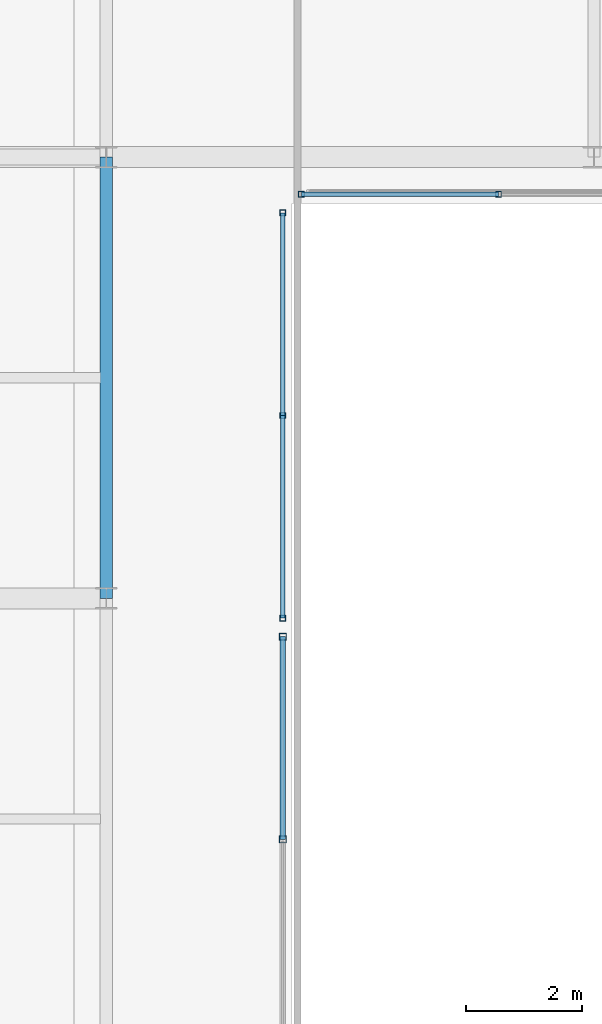
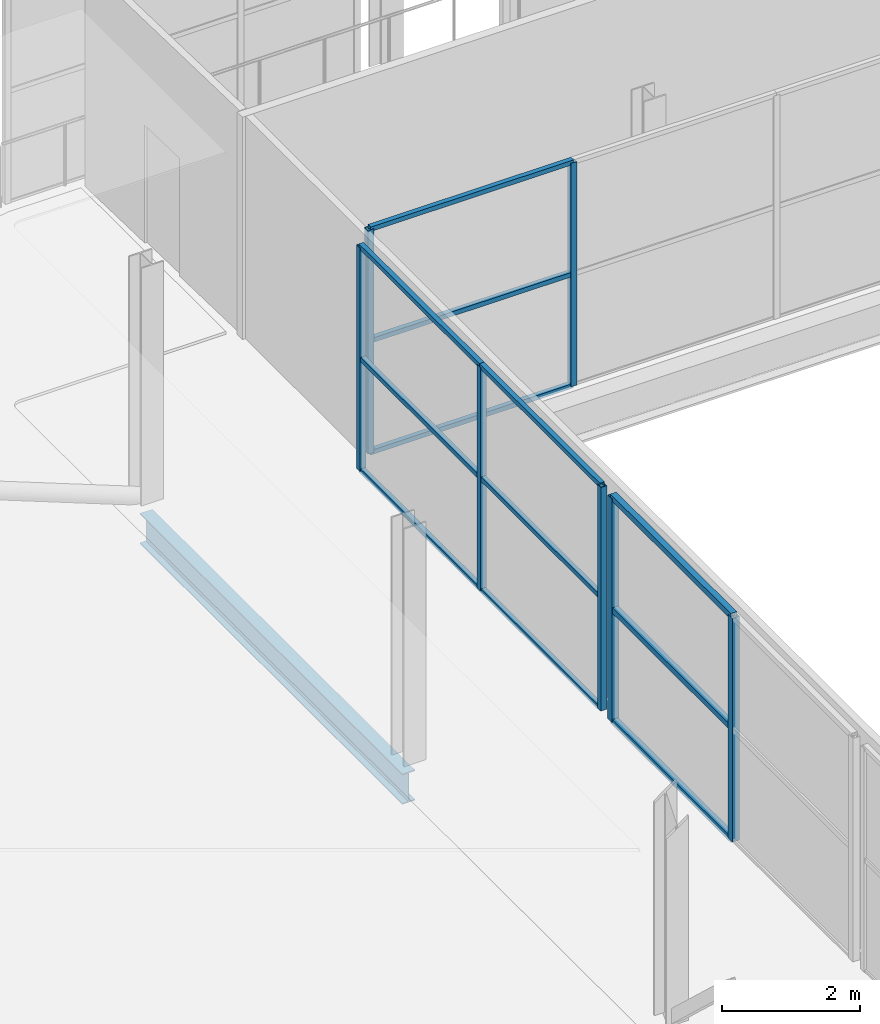
# One storey, part 53 of 217: 19 members, 1 beam, 3 elements without a shape of their own.
"""IFC4 building model written with IfcOpenShell, lengths in metres."""

from ifc_helpers import new_model, si_unit, direction, frame, origin, origin_2d, place, context, subcontext, project, spatial, hollow_rectangle, i_section, extrude, material, material_profile, profile_set, type_object, element, aggregate, save


model = new_model("IFC4")

# Units and contexts
model_context = context("Model", 3, precision=1e-05, world=origin(), true_north=direction((0.0, 1.0)))
body_context = subcontext(model_context, "Body", "Model", "MODEL_VIEW")
ifc_project = project(units=[si_unit("LENGTHUNIT", "METRE"), si_unit("AREAUNIT", "SQUARE_METRE"), si_unit("VOLUMEUNIT", "CUBIC_METRE"), si_unit("PLANEANGLEUNIT", "RADIAN"), si_unit("MASSUNIT", "GRAM", prefix="KILO")], contexts=[model_context])

# Site, building, storey
site_placement = place(None, origin())
site = spatial("IfcSite", under=ifc_project, at=site_placement, CompositionType="ELEMENT")
building_placement = place(site_placement, origin())
building = spatial("IfcBuilding", under=site, at=building_placement, Name="Zuvorla Pavilion Media Centre", CompositionType="ELEMENT")
storey_placement = place(building_placement, frame((0.0, 0.0, 9.60009765625)))
storey = spatial("IfcBuildingStorey", under=building, at=storey_placement, Name="L02", CompositionType="ELEMENT", Elevation=9.60009765625)

# Beam
ifc_material_1 = material(Name="Steel S355", Category="steel")
ifc_material_profile_1 = material_profile(ifc_material_1, i_section(OverallWidth=0.2099609375, OverallDepth=0.53662109375, WebThickness=0.0107421875, FlangeThickness=0.017333984375, FilletRadius=0.0126953125, at=origin_2d()), Name="UB 533x210x101")
ifc_profile_set_1 = profile_set([ifc_material_profile_1], Name="Steel S355")
beam_type = type_object("IfcBeamType", Name="BM-UB533", PredefinedType="BEAM", material=ifc_profile_set_1)
beam_placement = place(storey_placement, frame((24.800048828125, 74.39990234375, -0.536376953125), z_axis=(0.0, 1.0, 0.0), x_axis=(-1.0, 0.0, 0.0)))
element("IfcBeam", 1, at=beam_placement, inside=storey, type_object=beam_type, Name="L02 beam B08 899", PredefinedType="BEAM", context=body_context, shape_type="SweptSolid", body=[
    extrude(i_section(OverallWidth=0.2099609375, OverallDepth=0.53662109375, WebThickness=0.0107421875, FlangeThickness=0.017333984375, FilletRadius=0.0126953125, at=origin_2d()), origin(), (0.0, 0.0, 1.0), 7.60009765625),
])

# Curtain wall, members
ifc_material_2 = material(Name="Unitised anodised aluminium and solar glass curtain wall", Category="aluminium")
curtain_wall_type_1 = type_object("IfcCurtainWallType", Name="CW-SYS-30", PredefinedType="USERDEFINED", material=ifc_material_2)
curtain_wall_1_placement = place(storey_placement, origin())
curtain_wall_1 = element("IfcCurtainWall", 2, at=curtain_wall_1_placement, inside=storey, type_object=curtain_wall_type_1, Name="L02 curtain wall CW30 51", ObjectType="CURTAIN WALL", PredefinedType="USERDEFINED")
ifc_material_3 = material(Name="Anodised aluminium 6063-T6", Category="aluminium")
ifc_material_profile_2 = material_profile(ifc_material_3, hollow_rectangle(XDim=0.10009765625, YDim=0.10009765625, WallThickness=0.00439453125, at=origin_2d()), Name="ALU MULL 100x100")
ifc_profile_set_2 = profile_set([ifc_material_profile_2], Name="Anodised aluminium 6063-T6")
member_type_1 = type_object("IfcMemberType", Name="CW-MULL-100", PredefinedType="MULLION", material=ifc_profile_set_2)
member_1_placement = place(storey_placement, frame((31.55322265625, 81.360107421875, 0.0), z_axis=(0.0, 0.0, 1.0), x_axis=(1.0, 0.0, 0.0)))
member_1 = element("IfcMember", 3, at=member_1_placement, type_object=member_type_1, Name="CW30 mullion 3", PredefinedType="MULLION", context=body_context, shape_type="SweptSolid", body=[
    extrude(hollow_rectangle(XDim=0.10009765625, YDim=0.10009765625, WallThickness=0.00439453125, at=origin_2d()), origin(), (0.0, 0.0, 1.0), 3.949951171875),
])
member_2_placement = place(storey_placement, frame((28.159912109375, 81.360107421875, 0.0), z_axis=(0.0, 0.0, 1.0), x_axis=(1.0, 0.0, 0.0)))
member_2 = element("IfcMember", 4, at=member_2_placement, type_object=member_type_1, Name="CW30 mullion 4", PredefinedType="MULLION", context=body_context, shape_type="SweptSolid", body=[
    extrude(hollow_rectangle(XDim=0.10009765625, YDim=0.10009765625, WallThickness=0.00439453125, at=origin_2d()), origin(), (0.0, 0.0, 1.0), 3.949951171875),
])

curtain_wall_type_2 = type_object("IfcCurtainWallType", Name="CW-SYS-57", PredefinedType="USERDEFINED", material=ifc_material_2)
curtain_wall_2_placement = place(storey_placement, origin())
curtain_wall_2 = element("IfcCurtainWall", 5, at=curtain_wall_2_placement, inside=storey, type_object=curtain_wall_type_2, Name="L02 curtain wall CW57 93", ObjectType="CURTAIN WALL", PredefinedType="USERDEFINED")
member_3_placement = place(storey_placement, frame((27.840087890625, 81.0400390625, 0.0), z_axis=(0.0, 0.0, 1.0), x_axis=(1.0, 0.0, 0.0)))
member_3 = element("IfcMember", 6, at=member_3_placement, type_object=member_type_1, Name="CW57 mullion 1", PredefinedType="MULLION", context=body_context, shape_type="SweptSolid", body=[
    extrude(hollow_rectangle(XDim=0.10009765625, YDim=0.10009765625, WallThickness=0.00439453125, at=origin_2d()), origin(), (0.0, 0.0, 1.0), 3.949951171875),
])
member_4_placement = place(storey_placement, frame((27.840087890625, 77.550048828125, 0.0), z_axis=(0.0, 0.0, 1.0), x_axis=(1.0, 0.0, 0.0)))
member_4 = element("IfcMember", 7, at=member_4_placement, type_object=member_type_1, Name="CW57 mullion 2", PredefinedType="MULLION", context=body_context, shape_type="SweptSolid", body=[
    extrude(hollow_rectangle(XDim=0.10009765625, YDim=0.10009765625, WallThickness=0.00439453125, at=origin_2d()), origin(), (0.0, 0.0, 1.0), 3.949951171875),
])
member_5_placement = place(storey_placement, frame((27.840087890625, 74.06005859375, 0.0), z_axis=(0.0, 0.0, 1.0), x_axis=(1.0, 0.0, 0.0)))
member_5 = element("IfcMember", 8, at=member_5_placement, type_object=member_type_1, Name="CW57 mullion 3", PredefinedType="MULLION", context=body_context, shape_type="SweptSolid", body=[
    extrude(hollow_rectangle(XDim=0.10009765625, YDim=0.10009765625, WallThickness=0.00439453125, at=origin_2d()), origin(), (0.0, 0.0, 1.0), 3.949951171875),
])

curtain_wall_type_3 = type_object("IfcCurtainWallType", Name="CW-SYS-58", PredefinedType="USERDEFINED", material=ifc_material_2)
curtain_wall_3_placement = place(storey_placement, origin())
curtain_wall_3 = element("IfcCurtainWall", 9, at=curtain_wall_3_placement, inside=storey, type_object=curtain_wall_type_3, Name="L02 curtain wall CW58 91", ObjectType="CURTAIN WALL", PredefinedType="USERDEFINED")
ifc_material_profile_3 = material_profile(ifc_material_3, hollow_rectangle(XDim=0.1201171875, YDim=0.1201171875, WallThickness=0.0048828125, at=origin_2d()), Name="ALU MULL 120x120")
ifc_profile_set_3 = profile_set([ifc_material_profile_3], Name="Anodised aluminium 6063-T6")
member_type_2 = type_object("IfcMemberType", Name="CW-MULL-120", PredefinedType="MULLION", material=ifc_profile_set_3)
member_6_placement = place(storey_placement, frame((27.840087890625, 73.739990234375, 0.0), z_axis=(0.0, 0.0, 1.0), x_axis=(1.0, 0.0, 0.0)))
member_6 = element("IfcMember", 10, at=member_6_placement, type_object=member_type_2, Name="CW58 mullion 1", PredefinedType="MULLION", context=body_context, shape_type="SweptSolid", body=[
    extrude(hollow_rectangle(XDim=0.1201171875, YDim=0.1201171875, WallThickness=0.0048828125, at=origin_2d()), origin(), (0.0, 0.0, 1.0), 3.949951171875),
])
member_7_placement = place(storey_placement, frame((27.840087890625, 70.25, 0.0), z_axis=(0.0, 0.0, 1.0), x_axis=(1.0, 0.0, 0.0)))
member_7 = element("IfcMember", 11, at=member_7_placement, type_object=member_type_2, Name="CW58 mullion 2", PredefinedType="MULLION", context=body_context, shape_type="SweptSolid", body=[
    extrude(hollow_rectangle(XDim=0.1201171875, YDim=0.1201171875, WallThickness=0.0048828125, at=origin_2d()), origin(), (0.0, 0.0, 1.0), 3.949951171875),
])
ifc_material_profile_4 = material_profile(ifc_material_3, hollow_rectangle(XDim=0.10009765625, YDim=0.10009765625, WallThickness=0.00439453125, at=origin_2d()), Name="ALU TRAN 100x100")
ifc_profile_set_4 = profile_set([ifc_material_profile_4], Name="Anodised aluminium 6063-T6")
member_type_3 = type_object("IfcMemberType", Name="CW-TRAN-100", PredefinedType="USERDEFINED", material=ifc_profile_set_4)
member_8_placement = place(storey_placement, frame((27.840087890625, 73.739990234375, 0.0), z_axis=(0.0, -1.0, 0.0), x_axis=(1.0, 0.0, 0.0)))
member_8 = element("IfcMember", 12, at=member_8_placement, type_object=member_type_3, Name="CW58 transom 1.1", ObjectType="TRANSOM", PredefinedType="USERDEFINED", context=body_context, shape_type="SweptSolid", body=[
    extrude(hollow_rectangle(XDim=0.10009765625, YDim=0.10009765625, WallThickness=0.00439453125, at=origin_2d()), origin(), (0.0, 0.0, 1.0), 3.489990234375),
])
member_9_placement = place(storey_placement, frame((27.840087890625, 73.739990234375, 1.974853515625), z_axis=(0.0, -1.0, 0.0), x_axis=(1.0, 0.0, 0.0)))
member_9 = element("IfcMember", 13, at=member_9_placement, type_object=member_type_3, Name="CW58 transom 1.2", ObjectType="TRANSOM", PredefinedType="USERDEFINED", context=body_context, shape_type="SweptSolid", body=[
    extrude(hollow_rectangle(XDim=0.10009765625, YDim=0.10009765625, WallThickness=0.00439453125, at=origin_2d()), origin(), (0.0, 0.0, 1.0), 3.489990234375),
])
member_10_placement = place(storey_placement, frame((27.840087890625, 73.739990234375, 3.949951171875), z_axis=(0.0, -1.0, 0.0), x_axis=(1.0, 0.0, 0.0)))
member_10 = element("IfcMember", 14, at=member_10_placement, type_object=member_type_3, Name="CW58 transom 1.3", ObjectType="TRANSOM", PredefinedType="USERDEFINED", context=body_context, shape_type="SweptSolid", body=[
    extrude(hollow_rectangle(XDim=0.10009765625, YDim=0.10009765625, WallThickness=0.00439453125, at=origin_2d()), origin(), (0.0, 0.0, 1.0), 3.489990234375),
])
aggregate(curtain_wall_3, [member_6, member_7, member_8, member_9, member_10])

# Member
ifc_material_profile_5 = material_profile(ifc_material_3, hollow_rectangle(XDim=0.080078125, YDim=0.080078125, WallThickness=0.00390625, at=origin_2d()), Name="ALU TRAN 80x80")
ifc_profile_set_5 = profile_set([ifc_material_profile_5], Name="Anodised aluminium 6063-T6")
member_type_4 = type_object("IfcMemberType", Name="CW-TRAN-80", PredefinedType="USERDEFINED", material=ifc_profile_set_5)
member_11_placement = place(storey_placement, frame((31.55322265625, 81.360107421875, 0.0), z_axis=(-1.0, 0.0, 0.0), x_axis=(0.0, -1.0, 0.0)))
member_11 = element("IfcMember", 15, at=member_11_placement, type_object=member_type_4, Name="CW30 transom 3.1", ObjectType="TRANSOM", PredefinedType="USERDEFINED", context=body_context, shape_type="SweptSolid", body=[
    extrude(hollow_rectangle(XDim=0.080078125, YDim=0.080078125, WallThickness=0.00390625, at=origin_2d()), origin(), (0.0, 0.0, 1.0), 3.393310546875),
])

member_12_placement = place(storey_placement, frame((31.55322265625, 81.360107421875, 1.974853515625), z_axis=(-1.0, 0.0, 0.0), x_axis=(0.0, -1.0, 0.0)))
member_12 = element("IfcMember", 16, at=member_12_placement, type_object=member_type_4, Name="CW30 transom 3.2", ObjectType="TRANSOM", PredefinedType="USERDEFINED", context=body_context, shape_type="SweptSolid", body=[
    extrude(hollow_rectangle(XDim=0.080078125, YDim=0.080078125, WallThickness=0.00390625, at=origin_2d()), origin(), (0.0, 0.0, 1.0), 3.393310546875),
])

member_13_placement = place(storey_placement, frame((31.55322265625, 81.360107421875, 3.949951171875), z_axis=(-1.0, 0.0, 0.0), x_axis=(0.0, -1.0, 0.0)))
member_13 = element("IfcMember", 17, at=member_13_placement, type_object=member_type_4, Name="CW30 transom 3.3", ObjectType="TRANSOM", PredefinedType="USERDEFINED", context=body_context, shape_type="SweptSolid", body=[
    extrude(hollow_rectangle(XDim=0.080078125, YDim=0.080078125, WallThickness=0.00390625, at=origin_2d()), origin(), (0.0, 0.0, 1.0), 3.393310546875),
])

aggregate(curtain_wall_1, [member_1, member_2, member_11, member_12, member_13])

member_14_placement = place(storey_placement, frame((27.840087890625, 81.0400390625, 0.0), z_axis=(0.0, -1.0, 0.0), x_axis=(1.0, 0.0, 0.0)))
member_14 = element("IfcMember", 18, at=member_14_placement, type_object=member_type_4, Name="CW57 transom 1.1", ObjectType="TRANSOM", PredefinedType="USERDEFINED", context=body_context, shape_type="SweptSolid", body=[
    extrude(hollow_rectangle(XDim=0.080078125, YDim=0.080078125, WallThickness=0.00390625, at=origin_2d()), origin(), (0.0, 0.0, 1.0), 3.489990234375),
])

member_15_placement = place(storey_placement, frame((27.840087890625, 81.0400390625, 1.974853515625), z_axis=(0.0, -1.0, 0.0), x_axis=(1.0, 0.0, 0.0)))
member_15 = element("IfcMember", 19, at=member_15_placement, type_object=member_type_4, Name="CW57 transom 1.2", ObjectType="TRANSOM", PredefinedType="USERDEFINED", context=body_context, shape_type="SweptSolid", body=[
    extrude(hollow_rectangle(XDim=0.080078125, YDim=0.080078125, WallThickness=0.00390625, at=origin_2d()), origin(), (0.0, 0.0, 1.0), 3.489990234375),
])

member_16_placement = place(storey_placement, frame((27.840087890625, 81.0400390625, 3.949951171875), z_axis=(0.0, -1.0, 0.0), x_axis=(1.0, 0.0, 0.0)))
member_16 = element("IfcMember", 20, at=member_16_placement, type_object=member_type_4, Name="CW57 transom 1.3", ObjectType="TRANSOM", PredefinedType="USERDEFINED", context=body_context, shape_type="SweptSolid", body=[
    extrude(hollow_rectangle(XDim=0.080078125, YDim=0.080078125, WallThickness=0.00390625, at=origin_2d()), origin(), (0.0, 0.0, 1.0), 3.489990234375),
])

member_17_placement = place(storey_placement, frame((27.840087890625, 77.550048828125, 0.0), z_axis=(0.0, -1.0, 0.0), x_axis=(1.0, 0.0, 0.0)))
member_17 = element("IfcMember", 21, at=member_17_placement, type_object=member_type_4, Name="CW57 transom 2.1", ObjectType="TRANSOM", PredefinedType="USERDEFINED", context=body_context, shape_type="SweptSolid", body=[
    extrude(hollow_rectangle(XDim=0.080078125, YDim=0.080078125, WallThickness=0.00390625, at=origin_2d()), origin(), (0.0, 0.0, 1.0), 3.489990234375),
])

member_18_placement = place(storey_placement, frame((27.840087890625, 77.550048828125, 1.974853515625), z_axis=(0.0, -1.0, 0.0), x_axis=(1.0, 0.0, 0.0)))
member_18 = element("IfcMember", 22, at=member_18_placement, type_object=member_type_4, Name="CW57 transom 2.2", ObjectType="TRANSOM", PredefinedType="USERDEFINED", context=body_context, shape_type="SweptSolid", body=[
    extrude(hollow_rectangle(XDim=0.080078125, YDim=0.080078125, WallThickness=0.00390625, at=origin_2d()), origin(), (0.0, 0.0, 1.0), 3.489990234375),
])

member_19_placement = place(storey_placement, frame((27.840087890625, 77.550048828125, 3.949951171875), z_axis=(0.0, -1.0, 0.0), x_axis=(1.0, 0.0, 0.0)))
member_19 = element("IfcMember", 23, at=member_19_placement, type_object=member_type_4, Name="CW57 transom 2.3", ObjectType="TRANSOM", PredefinedType="USERDEFINED", context=body_context, shape_type="SweptSolid", body=[
    extrude(hollow_rectangle(XDim=0.080078125, YDim=0.080078125, WallThickness=0.00390625, at=origin_2d()), origin(), (0.0, 0.0, 1.0), 3.489990234375),
])

aggregate(curtain_wall_2, [member_3, member_4, member_5, member_14, member_15, member_16, member_17, member_18, member_19])

save(model, "model.ifc")
